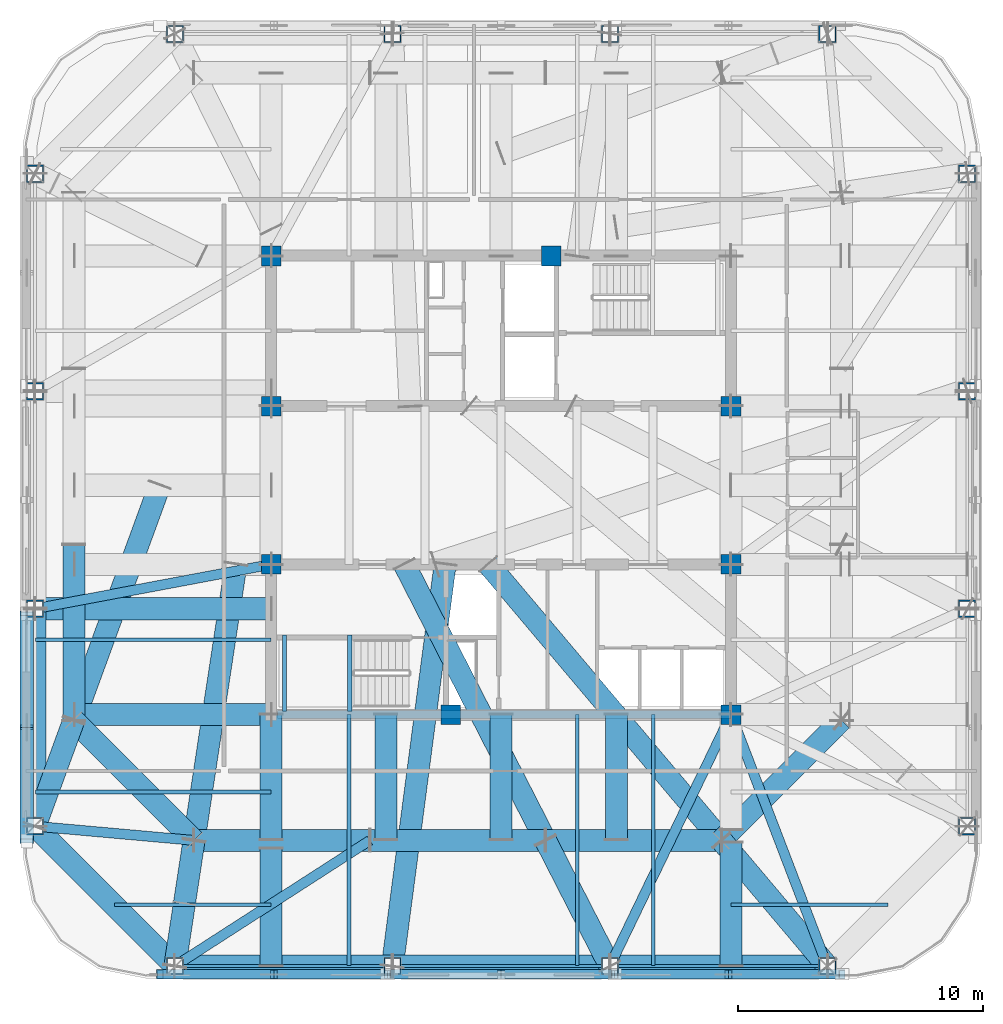
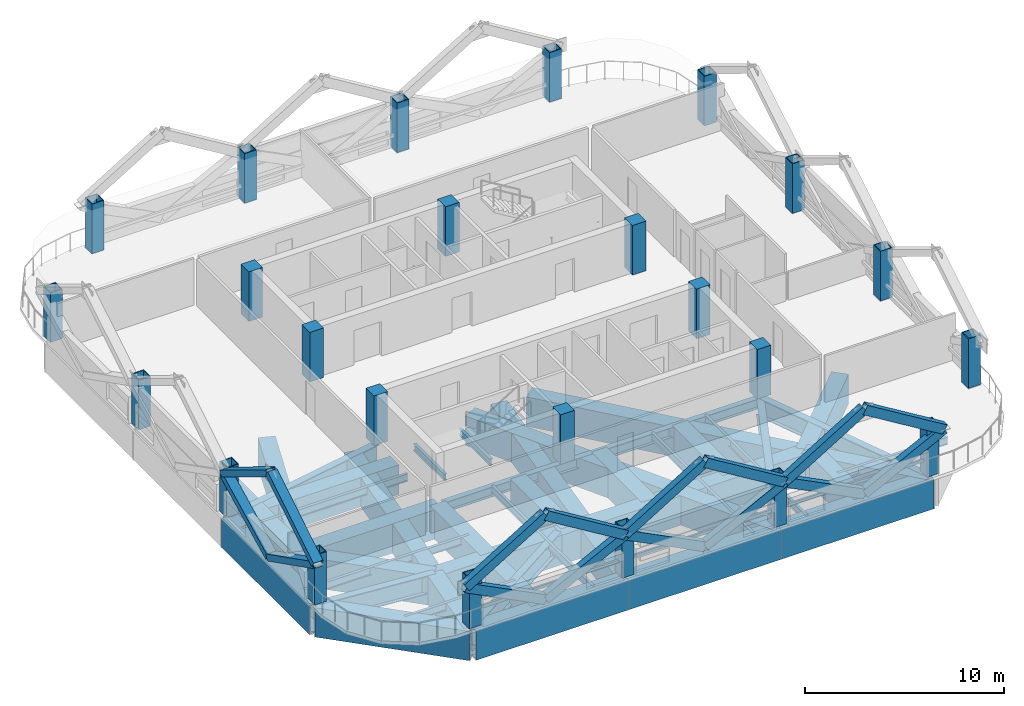
# One storey, part 1 of 11: 43 beams, 24 columns, 17 members.
"""IFC4 building model written with IfcOpenShell, lengths in metres."""

from ifc_helpers import new_model, si_unit, direction, frame, origin, origin_2d, place, context, subcontext, project, spatial, rectangle, hollow_rectangle, i_section, extrude, material, material_profile, profile_set, type_object, element, save


model = new_model("IFC4")

# Units and contexts
model_context = context("Model", 3, precision=1e-05, world=origin(), true_north=direction((0.0, 1.0)))
body_context = subcontext(model_context, "Body", "Model", "MODEL_VIEW")
ifc_project = project(units=[si_unit("LENGTHUNIT", "METRE"), si_unit("AREAUNIT", "SQUARE_METRE"), si_unit("VOLUMEUNIT", "CUBIC_METRE"), si_unit("PLANEANGLEUNIT", "RADIAN"), si_unit("MASSUNIT", "GRAM", prefix="KILO")], contexts=[model_context])

# Site, building, storey
site_placement = place(None, origin())
site = spatial("IfcSite", under=ifc_project, at=site_placement, CompositionType="ELEMENT")
building_placement = place(site_placement, origin())
building = spatial("IfcBuilding", under=site, at=building_placement, Name="Qhalaya Broadcast Tower", CompositionType="ELEMENT")
storey_placement = place(building_placement, frame((0.0, 0.0, 199.5)))
storey = spatial("IfcBuildingStorey", under=building, at=storey_placement, Name="L58", CompositionType="ELEMENT", Elevation=199.5)

# Columns
ifc_material_1 = material(Name="Concrete C50/60", Category="concrete")
ifc_material_profile_1 = material_profile(ifc_material_1, rectangle(XDim=0.800048828125, YDim=0.800048828125, at=origin_2d()), Name="RC-COL 800x800")
ifc_profile_set_1 = profile_set([ifc_material_profile_1], Name="Concrete C50/60")
column_type_1 = type_object("IfcColumnType", Name="RC Upper Column C10", PredefinedType="COLUMN", material=ifc_profile_set_1)
for number, where, z_axis, x_axis, name in (
    (1, (-9.375, 9.949951171875, 0.0), (0.0, 0.0, 1.0), (1.0, 0.0, 0.0), "L58 Column COL-CC1"),
    (2, (2.050048828125, 9.949951171875, 0.0), (0.0, 0.0, 1.0), (1.0, 0.0, 0.0), "L58 Column COL-CC2"),
    (3, (-9.375, 3.824951171875, 0.0), (0.0, 0.0, 1.0), (1.0, 0.0, 0.0), "L58 Column COL-CC3"),
    (4, (9.375, 3.824951171875, 0.0), (0.0, 0.0, 1.0), (1.0, 0.0, 0.0), "L58 Column COL-CC4"),
    (5, (-9.375, -2.625, 0.0), (0.0, 0.0, 1.0), (1.0, 0.0, 0.0), "L58 Column COL-CC5"),
    (6, (9.375, -2.625, 0.0), (0.0, 0.0, 1.0), (1.0, 0.0, 0.0), "L58 Column COL-CC6"),
    (7, (-2.050048828125, -8.75, 0.0), (0.0, 0.0, 1.0), (1.0, 0.0, 0.0), "L58 Column COL-CC7"),
    (8, (9.375, -8.75, 0.0), (0.0, 0.0, 1.0), (1.0, 0.0, 0.0), "L58 Column COL-CC8"),
):
    element("IfcColumn", number, at=place(storey_placement, frame(where, z_axis=z_axis, x_axis=x_axis)), inside=storey, type_object=column_type_1, Name=name, PredefinedType="COLUMN", context=body_context, shape_type="SweptSolid", body=[
        extrude(rectangle(XDim=0.800048828125, YDim=0.800048828125, at=origin_2d()), origin(), (0.0, 0.0, 1.0), 3.050048828125),
    ])
ifc_material_2 = material(Name="Structural Steel ASTM A572 Grade 50", Category="steel")
ifc_material_profile_2 = material_profile(ifc_material_2, hollow_rectangle(XDim=0.699951171875, YDim=0.699951171875, WallThickness=0.044921875, at=origin_2d()), Name="BOX 700x700x45")
ifc_profile_set_2 = profile_set([ifc_material_profile_2], Name="Structural Steel ASTM A572 Grade 50")
column_type_2 = type_object("IfcColumnType", Name="Steel Box Column C04", PredefinedType="COLUMN", material=ifc_profile_set_2)
for number, where, z_axis, x_axis, name in (
    (9, (-13.300048828125, -19.0, 0.0), (0.0, 0.0, 1.0), (1.0, 0.0, 0.0), "L58 Column COL-EX01"),
    (10, (-4.433349609375, -19.0, 0.0), (0.0, 0.0, 1.0), (1.0, 0.0, 0.0), "L58 Column COL-EX02"),
    (11, (4.433349609375, -19.0, 0.0), (0.0, 0.0, 1.0), (1.0, 0.0, 0.0), "L58 Column COL-EX03"),
    (12, (13.300048828125, -19.0, 0.0), (0.0, 0.0, 1.0), (1.0, 0.0, 0.0), "L58 Column COL-EX04"),
    (13, (19.0, -13.300048828125, 0.0), (0.0, 0.0, 1.0), (0.0, 1.0, 0.0), "L58 Column COL-EX05"),
    (14, (19.0, -4.433349609375, 0.0), (0.0, 0.0, 1.0), (0.0, 1.0, 0.0), "L58 Column COL-EX06"),
    (15, (19.0, 4.433349609375, 0.0), (0.0, 0.0, 1.0), (0.0, 1.0, 0.0), "L58 Column COL-EX07"),
    (16, (19.0, 13.300048828125, 0.0), (0.0, 0.0, 1.0), (0.0, 1.0, 0.0), "L58 Column COL-EX08"),
    (17, (13.300048828125, 19.0, 0.0), (0.0, 0.0, 1.0), (1.0, 0.0, 0.0), "L58 Column COL-EX09"),
    (18, (4.433349609375, 19.0, 0.0), (0.0, 0.0, 1.0), (1.0, 0.0, 0.0), "L58 Column COL-EX10"),
    (19, (-4.433349609375, 19.0, 0.0), (0.0, 0.0, 1.0), (1.0, 0.0, 0.0), "L58 Column COL-EX11"),
    (20, (-13.300048828125, 19.0, 0.0), (0.0, 0.0, 1.0), (1.0, 0.0, 0.0), "L58 Column COL-EX12"),
    (21, (-19.0, 13.300048828125, 0.0), (0.0, 0.0, 1.0), (0.0, 1.0, 0.0), "L58 Column COL-EX13"),
    (22, (-19.0, 4.433349609375, 0.0), (0.0, 0.0, 1.0), (0.0, 1.0, 0.0), "L58 Column COL-EX14"),
    (23, (-19.0, -4.433349609375, 0.0), (0.0, 0.0, 1.0), (0.0, 1.0, 0.0), "L58 Column COL-EX15"),
    (24, (-19.0, -13.300048828125, 0.0), (0.0, 0.0, 1.0), (0.0, 1.0, 0.0), "L58 Column COL-EX16"),
):
    element("IfcColumn", number, at=place(storey_placement, frame(where, z_axis=z_axis, x_axis=x_axis)), inside=storey, type_object=column_type_2, Name=name, PredefinedType="COLUMN", context=body_context, shape_type="SweptSolid", body=[
        extrude(hollow_rectangle(XDim=0.699951171875, YDim=0.699951171875, WallThickness=0.044921875, at=origin_2d()), origin(), (0.0, 0.0, 1.0), 3.050048828125),
    ])

# Beams
ifc_material_profile_3 = material_profile(ifc_material_2, hollow_rectangle(XDim=0.89990234375, YDim=1.800048828125, WallThickness=0.06005859375, at=origin_2d()), Name="BOX 900x1800x60")
ifc_profile_set_3 = profile_set([ifc_material_profile_3], Name="Structural Steel ASTM A572 Grade 50")
beam_type_1 = type_object("IfcBeamType", Name="Block Cantilever Transfer Box Girder TG1", PredefinedType="USERDEFINED", material=ifc_profile_set_3)
for number, where, z_axis, x_axis, name in (
    (25, (-13.300048828125, -19.0, -1.090087890625), (1.0, 0.0, 0.0), (0.0, 1.0, 0.0), "L58 TG1 L58-SPR-01"),
    (26, (-4.433349609375, -19.0, -1.090087890625), (1.0, 0.0, 0.0), (0.0, 1.0, 0.0), "L58 TG1 L58-SPR-02"),
    (27, (4.433349609375, -19.0, -1.090087890625), (1.0, 0.0, 0.0), (0.0, 1.0, 0.0), "L58 TG1 L58-SPR-03"),
    (28, (-19.0, -4.433349609375, -1.090087890625), (0.0, -1.0, 0.0), (1.0, 0.0, 0.0), "L58 TG1 L58-SPR-15"),
):
    element("IfcBeam", number, at=place(storey_placement, frame(where, z_axis=z_axis, x_axis=x_axis)), inside=storey, type_object=beam_type_1, Name=name, ObjectType="GIRDER", PredefinedType="USERDEFINED", context=body_context, shape_type="SweptSolid", body=[
        extrude(hollow_rectangle(XDim=0.89990234375, YDim=1.800048828125, WallThickness=0.06005859375, at=origin_2d()), origin(), (0.0, 0.0, 1.0), 8.86669921875),
    ])
beam_1_placement = place(storey_placement, frame((-19.0, -13.300048828125, -1.090087890625), z_axis=(0.707106781187, -0.707106781187, 0.0), x_axis=(0.707106781187, 0.707106781187, 0.0)))
element("IfcBeam", 29, at=beam_1_placement, inside=storey, type_object=beam_type_1, Name="L58 TG1 L58-SPR-16", ObjectType="GIRDER", PredefinedType="USERDEFINED", context=body_context, shape_type="SweptSolid", body=[
    extrude(hollow_rectangle(XDim=0.89990234375, YDim=1.800048828125, WallThickness=0.06005859375, at=origin_2d()), origin(), (0.0, 0.0, 1.0), 8.06103515625),
])
beam_2_placement = place(storey_placement, frame((-12.52001953125, -13.8798828125, -1.090087890625), z_axis=(1.0, 0.0, 0.0), x_axis=(0.0, 1.0, 0.0)))
element("IfcBeam", 30, at=beam_2_placement, inside=storey, type_object=beam_type_1, Name="L58 TG1 L58-TGL-01", ObjectType="GIRDER", PredefinedType="USERDEFINED", context=body_context, shape_type="SweptSolid", body=[
    extrude(hollow_rectangle(XDim=0.89990234375, YDim=1.800048828125, WallThickness=0.06005859375, at=origin_2d()), origin(), (0.0, 0.0, 1.0), 7.166748046875),
])
beam_3_placement = place(storey_placement, frame((-5.353271484375, -13.8798828125, -1.090087890625), z_axis=(1.0, 0.0, 0.0), x_axis=(0.0, 1.0, 0.0)))
element("IfcBeam", 31, at=beam_3_placement, inside=storey, type_object=beam_type_1, Name="L58 TG1 L58-TGL-02", ObjectType="GIRDER", PredefinedType="USERDEFINED", context=body_context, shape_type="SweptSolid", body=[
    extrude(hollow_rectangle(XDim=0.89990234375, YDim=1.800048828125, WallThickness=0.06005859375, at=origin_2d()), origin(), (0.0, 0.0, 1.0), 7.16650390625),
])
beam_4_placement = place(storey_placement, frame((1.813232421875, -13.8798828125, -1.090087890625), z_axis=(1.0, 0.0, 0.0), x_axis=(0.0, 1.0, 0.0)))
element("IfcBeam", 32, at=beam_4_placement, inside=storey, type_object=beam_type_1, Name="L58 TG1 L58-TGL-03", ObjectType="GIRDER", PredefinedType="USERDEFINED", context=body_context, shape_type="SweptSolid", body=[
    extrude(hollow_rectangle(XDim=0.89990234375, YDim=1.800048828125, WallThickness=0.06005859375, at=origin_2d()), origin(), (0.0, 0.0, 1.0), 7.166748046875),
])
beam_5_placement = place(storey_placement, frame((8.97998046875, -13.8798828125, -1.090087890625), z_axis=(0.707106781187, 0.707106781187, 0.0), x_axis=(-0.707106781187, 0.707106781187, 0.0)))
element("IfcBeam", 33, at=beam_5_placement, inside=storey, type_object=beam_type_1, Name="L58 TG1 L58-TGL-04", ObjectType="GIRDER", PredefinedType="USERDEFINED", context=body_context, shape_type="SweptSolid", body=[
    extrude(hollow_rectangle(XDim=0.89990234375, YDim=1.800048828125, WallThickness=0.06005859375, at=origin_2d()), origin(), (0.0, 0.0, 1.0), 6.929443359375),
])
beam_6_placement = place(storey_placement, frame((-17.419921875, -1.813232421875, -1.090087890625), z_axis=(0.0, -1.0, 0.0), x_axis=(1.0, 0.0, 0.0)))
element("IfcBeam", 34, at=beam_6_placement, inside=storey, type_object=beam_type_1, Name="L58 TG1 L58-TGL-15", ObjectType="GIRDER", PredefinedType="USERDEFINED", context=body_context, shape_type="SweptSolid", body=[
    extrude(hollow_rectangle(XDim=0.89990234375, YDim=1.800048828125, WallThickness=0.06005859375, at=origin_2d()), origin(), (0.0, 0.0, 1.0), 7.166748046875),
])
beam_7_placement = place(storey_placement, frame((-17.419921875, -8.97998046875, -1.090087890625), z_axis=(0.707106781187, -0.707106781187, 0.0), x_axis=(0.707106781187, 0.707106781187, 0.0)))
element("IfcBeam", 35, at=beam_7_placement, inside=storey, type_object=beam_type_1, Name="L58 TG1 L58-TGL-16", ObjectType="GIRDER", PredefinedType="USERDEFINED", context=body_context, shape_type="SweptSolid", body=[
    extrude(hollow_rectangle(XDim=0.89990234375, YDim=1.800048828125, WallThickness=0.06005859375, at=origin_2d()), origin(), (0.0, 0.0, 1.0), 6.929443359375),
])
for number, where, z_axis, x_axis, name in (
    (36, (0.0, -13.840087890625, -1.090087890625), (0.0, 1.0, 0.0), (-1.0, 0.0, 0.0), "L58 TG1 L58-TGIMS-1"),
    (37, (-4.699951171875, -13.840087890625, -1.090087890625), (0.0, 1.0, 0.0), (-1.0, 0.0, 0.0), "L58 TG1 L58-TGIMSW-1"),
    (38, (4.699951171875, -13.840087890625, -1.090087890625), (0.0, 1.0, 0.0), (-1.0, 0.0, 0.0), "L58 TG1 L58-TGIMSE-1"),
    (39, (-9.375, -13.840087890625, -1.090087890625), (0.0, 1.0, 0.0), (-1.0, 0.0, 0.0), "L58 TG1 L58-TGISW-1"),
):
    element("IfcBeam", number, at=place(storey_placement, frame(where, z_axis=z_axis, x_axis=x_axis)), inside=storey, type_object=beam_type_1, Name=name, ObjectType="GIRDER", PredefinedType="USERDEFINED", context=body_context, shape_type="SweptSolid", body=[
        extrude(hollow_rectangle(XDim=0.89990234375, YDim=1.800048828125, WallThickness=0.06005859375, at=origin_2d()), origin(), (0.0, 0.0, 1.0), 5.090087890625),
    ])
beam_8_placement = place(storey_placement, frame((-17.3798828125, -8.75, -1.090087890625), z_axis=(1.0, 0.0, 0.0), x_axis=(0.0, 1.0, 0.0)))
element("IfcBeam", 40, at=beam_8_placement, inside=storey, type_object=beam_type_1, Name="L58 TG1 L58-TGIY1W-1", ObjectType="GIRDER", PredefinedType="USERDEFINED", context=body_context, shape_type="SweptSolid", body=[
    extrude(hollow_rectangle(XDim=0.89990234375, YDim=1.800048828125, WallThickness=0.06005859375, at=origin_2d()), origin(), (0.0, 0.0, 1.0), 8.0048828125),
])
beam_9_placement = place(storey_placement, frame((-10.805419921875, -2.625, -1.090087890625), z_axis=(-0.150605112231, -0.988594001686, 0.0), x_axis=(0.988594001686, -0.150605112231, 0.0)))
element("IfcBeam", 41, at=beam_9_placement, inside=storey, type_object=beam_type_1, Name="L58 Collinear Back-Span Transfer Box Girder 01", ObjectType="GIRDER", PredefinedType="USERDEFINED", context=body_context, shape_type="SweptSolid", body=[
    extrude(hollow_rectangle(XDim=0.89990234375, YDim=1.800048828125, WallThickness=0.06005859375, at=origin_2d()), origin(), (0.0, 0.0, 1.0), 11.384765625),
])
beam_10_placement = place(storey_placement, frame((-12.52001953125, -13.8798828125, -1.090087890625), z_axis=(-0.150608254153, -0.988593523032, 0.0), x_axis=(0.988593523032, -0.150608254153, 0.0)))
element("IfcBeam", 42, at=beam_10_placement, inside=storey, type_object=beam_type_1, Name="L58 Cantilever Transfer Box Girder 01", ObjectType="GIRDER", PredefinedType="USERDEFINED", context=body_context, shape_type="SweptSolid", body=[
    extrude(hollow_rectangle(XDim=0.89990234375, YDim=1.800048828125, WallThickness=0.06005859375, at=origin_2d()), origin(), (0.0, 0.0, 1.0), 5.17919921875),
])
beam_11_placement = place(storey_placement, frame((-2.2822265625, -2.625, -1.090087890625), z_axis=(-0.130247254984, -0.99148154424, 0.0), x_axis=(0.99148154424, -0.130247254984, 0.0)))
element("IfcBeam", 43, at=beam_11_placement, inside=storey, type_object=beam_type_1, Name="L58 Continuous Cantilever Transfer Box Girder 02", ObjectType="GIRDER", PredefinedType="USERDEFINED", context=body_context, shape_type="SweptSolid", body=[
    extrude(hollow_rectangle(XDim=0.89990234375, YDim=1.800048828125, WallThickness=0.06005859375, at=origin_2d()), origin(), (0.0, 0.0, 1.0), 16.515625),
])
beam_12_placement = place(storey_placement, frame((-3.946044921875, -2.625, -1.090087890625), z_axis=(0.455536309158, -0.890217204416, 0.0), x_axis=(0.890217204416, 0.455536309158, 0.0)))
element("IfcBeam", 44, at=beam_12_placement, inside=storey, type_object=beam_type_1, Name="L58 Collinear Back-Span Transfer Box Girder 03", ObjectType="GIRDER", PredefinedType="USERDEFINED", context=body_context, shape_type="SweptSolid", body=[
    extrude(hollow_rectangle(XDim=0.89990234375, YDim=1.800048828125, WallThickness=0.06005859375, at=origin_2d()), origin(), (0.0, 0.0, 1.0), 12.642822265625),
])
beam_13_placement = place(storey_placement, frame((1.813232421875, -13.8798828125, -1.090087890625), z_axis=(0.455547780003, -0.890211334535, 0.0), x_axis=(0.890211334535, 0.455547780003, 0.0)))
element("IfcBeam", 45, at=beam_13_placement, inside=storey, type_object=beam_type_1, Name="L58 Cantilever Transfer Box Girder 03", ObjectType="GIRDER", PredefinedType="USERDEFINED", context=body_context, shape_type="SweptSolid", body=[
    extrude(hollow_rectangle(XDim=0.89990234375, YDim=1.800048828125, WallThickness=0.06005859375, at=origin_2d()), origin(), (0.0, 0.0, 1.0), 5.75146484375),
])
beam_14_placement = place(storey_placement, frame((-0.516357421875, -2.625, -1.090087890625), z_axis=(0.644872149767, -0.764290462099, 0.0), x_axis=(0.764290462099, 0.644872149767, 0.0)))
element("IfcBeam", 46, at=beam_14_placement, inside=storey, type_object=beam_type_1, Name="L58 Collinear Back-Span Transfer Box Girder 04", ObjectType="GIRDER", PredefinedType="USERDEFINED", context=body_context, shape_type="SweptSolid", body=[
    extrude(hollow_rectangle(XDim=0.89990234375, YDim=1.800048828125, WallThickness=0.06005859375, at=origin_2d()), origin(), (0.0, 0.0, 1.0), 14.725830078125),
])
beam_15_placement = place(storey_placement, frame((8.97998046875, -13.8798828125, -1.090087890625), z_axis=(0.644868278184, -0.764293728741, 0.0), x_axis=(0.764293728741, 0.644868278184, 0.0)))
element("IfcBeam", 47, at=beam_15_placement, inside=storey, type_object=beam_type_1, Name="L58 Cantilever Transfer Box Girder 04", ObjectType="GIRDER", PredefinedType="USERDEFINED", context=body_context, shape_type="SweptSolid", body=[
    extrude(hollow_rectangle(XDim=0.89990234375, YDim=1.800048828125, WallThickness=0.06005859375, at=origin_2d()), origin(), (0.0, 0.0, 1.0), 6.69921875),
])
beam_16_placement = place(storey_placement, frame((-9.375, -4.433349609375, -1.090087890625), z_axis=(-1.0, 0.0, 0.0), x_axis=(0.0, -1.0, 0.0)))
element("IfcBeam", 48, at=beam_16_placement, inside=storey, type_object=beam_type_1, Name="L58 Continuous Cantilever Transfer Box Girder 15", ObjectType="GIRDER", PredefinedType="USERDEFINED", context=body_context, shape_type="SweptSolid", body=[
    extrude(hollow_rectangle(XDim=0.89990234375, YDim=1.800048828125, WallThickness=0.06005859375, at=origin_2d()), origin(), (0.0, 0.0, 1.0), 9.625),
])
beam_17_placement = place(storey_placement, frame((-13.916259765625, 0.60009765625, -1.090087890625), z_axis=(-0.343473927376, -0.939162212407, 0.0), x_axis=(0.939162212407, -0.343473927376, 0.0)))
element("IfcBeam", 49, at=beam_17_placement, inside=storey, type_object=beam_type_1, Name="L58 Collinear Back-Span Transfer Box Girder 16", ObjectType="GIRDER", PredefinedType="USERDEFINED", context=body_context, shape_type="SweptSolid", body=[
    extrude(hollow_rectangle(XDim=0.89990234375, YDim=1.800048828125, WallThickness=0.06005859375, at=origin_2d()), origin(), (0.0, 0.0, 1.0), 10.20068359375),
])
beam_18_placement = place(storey_placement, frame((-17.419921875, -8.97998046875, -1.090087890625), z_axis=(-0.343498186789, -0.939153339808, 0.0), x_axis=(0.939153339808, -0.343498186789, 0.0)))
element("IfcBeam", 50, at=beam_18_placement, inside=storey, type_object=beam_type_1, Name="L58 Cantilever Transfer Box Girder 16", ObjectType="GIRDER", PredefinedType="USERDEFINED", context=body_context, shape_type="SweptSolid", body=[
    extrude(hollow_rectangle(XDim=0.89990234375, YDim=1.800048828125, WallThickness=0.06005859375, at=origin_2d()), origin(), (0.0, 0.0, 1.0), 4.599853515625),
])
beam_19_placement = place(storey_placement, frame((-9.375, -18.97998046875, -1.090087890625), z_axis=(0.0, 1.0, 0.0), x_axis=(-1.0, 0.0, 0.0)))
element("IfcBeam", 51, at=beam_19_placement, inside=storey, type_object=beam_type_1, Name="L58 TG1 L58-PGXS1-OV1", ObjectType="GIRDER", PredefinedType="USERDEFINED", context=body_context, shape_type="SweptSolid", body=[
    extrude(hollow_rectangle(XDim=0.89990234375, YDim=1.800048828125, WallThickness=0.06005859375, at=origin_2d()), origin(), (0.0, 0.0, 1.0), 4.760009765625),
])
beam_20_placement = place(storey_placement, frame((9.375, -18.97998046875, -1.090087890625), z_axis=(0.0, 1.0, 0.0), x_axis=(-1.0, 0.0, 0.0)))
element("IfcBeam", 52, at=beam_20_placement, inside=storey, type_object=beam_type_1, Name="L58 TG1 L58-PGXS2-OV1", ObjectType="GIRDER", PredefinedType="USERDEFINED", context=body_context, shape_type="SweptSolid", body=[
    extrude(hollow_rectangle(XDim=0.89990234375, YDim=1.800048828125, WallThickness=0.06005859375, at=origin_2d()), origin(), (0.0, 0.0, 1.0), 5.01416015625),
])
ifc_material_3 = material(Name="Structural Steel ASTM A992 Grade 50", Category="steel")
ifc_material_profile_4 = material_profile(ifc_material_3, i_section(OverallWidth=0.154052734375, OverallDepth=0.458984375, WebThickness=0.009033203125, FlangeThickness=0.015380859375, at=origin_2d()), Name="W18X46")
ifc_profile_set_4 = profile_set([ifc_material_profile_4], Name="Structural Steel ASTM A992 Grade 50")
beam_type_2 = type_object("IfcBeamType", Name="Composite Floor Joist J04", PredefinedType="JOIST", material=ifc_profile_set_4)
for number, where, z_axis, x_axis, name in (
    (53, (-6.199951171875, -18.97998046875, -0.41943359375), (0.0, 1.0, 0.0), (-1.0, 0.0, 0.0), "L58 J04 L58-JNS1-1"),
    (54, (3.10009765625, -18.97998046875, -0.41943359375), (0.0, 1.0, 0.0), (-1.0, 0.0, 0.0), "L58 J04 L58-JNS4-1"),
    (55, (6.199951171875, -18.97998046875, -0.41943359375), (0.0, 1.0, 0.0), (-1.0, 0.0, 0.0), "L58 J04 L58-JNS5-1"),
):
    element("IfcBeam", number, at=place(storey_placement, frame(where, z_axis=z_axis, x_axis=x_axis)), inside=storey, type_object=beam_type_2, Name=name, PredefinedType="JOIST", context=body_context, shape_type="SweptSolid", body=[
        extrude(i_section(OverallWidth=0.154052734375, OverallDepth=0.458984375, WebThickness=0.009033203125, FlangeThickness=0.015380859375, at=origin_2d()), origin(), (0.0, 0.0, 1.0), 10.22998046875),
    ])
for number, where, z_axis, x_axis, name in (
    (56, (-15.771728515625, -16.5, -0.41943359375), (1.0, 0.0, 0.0), (0.0, 1.0, 0.0), "L58 J04 L58-JWE1W-1"),
    (57, (9.375, -16.5, -0.41943359375), (1.0, 0.0, 0.0), (0.0, 1.0, 0.0), "L58 J04 L58-JWE1E-1"),
):
    element("IfcBeam", number, at=place(storey_placement, frame(where, z_axis=z_axis, x_axis=x_axis)), inside=storey, type_object=beam_type_2, Name=name, PredefinedType="JOIST", context=body_context, shape_type="SweptSolid", body=[
        extrude(i_section(OverallWidth=0.154052734375, OverallDepth=0.458984375, WebThickness=0.009033203125, FlangeThickness=0.015380859375, at=origin_2d()), origin(), (0.0, 0.0, 1.0), 6.396728515625),
    ])
for number, where, z_axis, x_axis, name in (
    (58, (-18.97998046875, -11.89990234375, -0.41943359375), (1.0, 0.0, 0.0), (0.0, 1.0, 0.0), "L58 J04 L58-JWE2W-1"),
    (59, (-18.97998046875, -5.699951171875, -0.41943359375), (1.0, 0.0, 0.0), (0.0, 1.0, 0.0), "L58 J04 L58-JWE3W-1"),
):
    element("IfcBeam", number, at=place(storey_placement, frame(where, z_axis=z_axis, x_axis=x_axis)), inside=storey, type_object=beam_type_2, Name=name, PredefinedType="JOIST", context=body_context, shape_type="SweptSolid", body=[
        extrude(i_section(OverallWidth=0.154052734375, OverallDepth=0.458984375, WebThickness=0.009033203125, FlangeThickness=0.015380859375, at=origin_2d()), origin(), (0.0, 0.0, 1.0), 9.60498046875),
    ])
ifc_material_profile_5 = material_profile(ifc_material_3, i_section(OverallWidth=0.323974609375, OverallDepth=0.612060546875, WebThickness=0.0126953125, FlangeThickness=0.01904296875, at=origin_2d()), Name="W24X104")
ifc_profile_set_5 = profile_set([ifc_material_profile_5], Name="Structural Steel ASTM A992 Grade 50")
beam_type_3 = type_object("IfcBeamType", Name="Core Frame Tie Beam B04", PredefinedType="BEAM", material=ifc_profile_set_5)
beam_21_placement = place(storey_placement, frame((-9.1201171875, -8.75, -0.49609375), z_axis=(1.0, 0.0, 0.0), x_axis=(0.0, 1.0, 0.0)))
element("IfcBeam", 60, at=beam_21_placement, inside=storey, type_object=beam_type_3, Name="L58 B04 L58-CCS3", PredefinedType="BEAM", context=body_context, shape_type="SweptSolid", body=[
    extrude(i_section(OverallWidth=0.323974609375, OverallDepth=0.612060546875, WebThickness=0.0126953125, FlangeThickness=0.01904296875, at=origin_2d()), origin(), (0.0, 0.0, 1.0), 18.4951171875),
])

# Members
ifc_material_profile_6 = material_profile(ifc_material_2, hollow_rectangle(XDim=0.3798828125, YDim=0.550048828125, WallThickness=0.02490234375, at=origin_2d()), Name="BOX 380x550x25")
ifc_profile_set_6 = profile_set([ifc_material_profile_6], Name="Structural Steel ASTM A572 Grade 50")
member_type_1 = type_object("IfcMemberType", Name="Exoskeleton Diamond Diagonal Upper EX4", PredefinedType="BRACE", material=ifc_profile_set_6)
for number, where, z_axis, x_axis, name in (
    (61, (-9.2666015625, -19.340087890625, 0.360107421875), (-0.892235092116, 0.0, 0.451571190841), (0.0, -1.0, 0.0), "B5 Exoskeleton Diamond Brace S1-D1"),
    (62, (-9.2666015625, -19.340087890625, 0.360107421875), (0.892235092116, 0.0, 0.451571190841), (0.0, 1.0, 0.0), "B5 Exoskeleton Diamond Brace S1-D2"),
):
    element("IfcMember", number, at=place(storey_placement, frame(where, z_axis=z_axis, x_axis=x_axis)), inside=storey, type_object=member_type_1, Name=name, PredefinedType="BRACE", context=body_context, shape_type="SweptSolid", body=[
        extrude(hollow_rectangle(XDim=0.3798828125, YDim=0.550048828125, WallThickness=0.02490234375, at=origin_2d()), origin(), (0.0, 0.0, 1.0), 5.19287109375),
    ])
for number, where, z_axis, x_axis, name in (
    (63, (-13.89990234375, -19.340087890625, 2.705078125), (0.853815197337, 0.0, 0.520576227652), (0.0, 1.0, 0.0), "B5 Exoskeleton Diamond Brace S1-D3"),
    (64, (-4.63330078125, -19.340087890625, 2.705078125), (-0.853815197337, 0.0, 0.520576227652), (0.0, -1.0, 0.0), "B5 Exoskeleton Diamond Brace S1-D4"),
):
    element("IfcMember", number, at=place(storey_placement, frame(where, z_axis=z_axis, x_axis=x_axis)), inside=storey, type_object=member_type_1, Name=name, PredefinedType="BRACE", context=body_context, shape_type="SweptSolid", body=[
        extrude(hollow_rectangle(XDim=0.3798828125, YDim=0.550048828125, WallThickness=0.02490234375, at=origin_2d()), origin(), (0.0, 0.0, 1.0), 5.426513671875),
    ])
for number, where, z_axis, x_axis, name in (
    (65, (0.0, -19.340087890625, 0.360107421875), (-0.892235092116, 0.0, 0.451571190841), (0.0, -1.0, 0.0), "B5 Exoskeleton Diamond Brace S2-D1"),
    (66, (0.0, -19.340087890625, 0.360107421875), (0.892235092116, 0.0, 0.451571190841), (0.0, 1.0, 0.0), "B5 Exoskeleton Diamond Brace S2-D2"),
):
    element("IfcMember", number, at=place(storey_placement, frame(where, z_axis=z_axis, x_axis=x_axis)), inside=storey, type_object=member_type_1, Name=name, PredefinedType="BRACE", context=body_context, shape_type="SweptSolid", body=[
        extrude(hollow_rectangle(XDim=0.3798828125, YDim=0.550048828125, WallThickness=0.02490234375, at=origin_2d()), origin(), (0.0, 0.0, 1.0), 5.19287109375),
    ])
for number, where, z_axis, x_axis, name in (
    (67, (-4.63330078125, -19.340087890625, 2.705078125), (0.853815197337, 0.0, 0.520576227652), (0.0, 1.0, 0.0), "B5 Exoskeleton Diamond Brace S2-D3"),
    (68, (4.63330078125, -19.340087890625, 2.705078125), (-0.853815197337, 0.0, 0.520576227652), (0.0, -1.0, 0.0), "B5 Exoskeleton Diamond Brace S2-D4"),
):
    element("IfcMember", number, at=place(storey_placement, frame(where, z_axis=z_axis, x_axis=x_axis)), inside=storey, type_object=member_type_1, Name=name, PredefinedType="BRACE", context=body_context, shape_type="SweptSolid", body=[
        extrude(hollow_rectangle(XDim=0.3798828125, YDim=0.550048828125, WallThickness=0.02490234375, at=origin_2d()), origin(), (0.0, 0.0, 1.0), 5.426513671875),
    ])
for number, where, z_axis, x_axis, name in (
    (69, (9.2666015625, -19.340087890625, 0.360107421875), (-0.892235092116, 0.0, 0.451571190841), (0.0, -1.0, 0.0), "B5 Exoskeleton Diamond Brace S3-D1"),
    (70, (9.2666015625, -19.340087890625, 0.360107421875), (0.892235092116, 0.0, 0.451571190841), (0.0, 1.0, 0.0), "B5 Exoskeleton Diamond Brace S3-D2"),
):
    element("IfcMember", number, at=place(storey_placement, frame(where, z_axis=z_axis, x_axis=x_axis)), inside=storey, type_object=member_type_1, Name=name, PredefinedType="BRACE", context=body_context, shape_type="SweptSolid", body=[
        extrude(hollow_rectangle(XDim=0.3798828125, YDim=0.550048828125, WallThickness=0.02490234375, at=origin_2d()), origin(), (0.0, 0.0, 1.0), 5.19287109375),
    ])
for number, where, z_axis, x_axis, name in (
    (71, (4.63330078125, -19.340087890625, 2.705078125), (0.853815197337, 0.0, 0.520576227652), (0.0, 1.0, 0.0), "B5 Exoskeleton Diamond Brace S3-D3"),
    (72, (13.89990234375, -19.340087890625, 2.705078125), (-0.853815197337, 0.0, 0.520576227652), (0.0, -1.0, 0.0), "B5 Exoskeleton Diamond Brace S3-D4"),
):
    element("IfcMember", number, at=place(storey_placement, frame(where, z_axis=z_axis, x_axis=x_axis)), inside=storey, type_object=member_type_1, Name=name, PredefinedType="BRACE", context=body_context, shape_type="SweptSolid", body=[
        extrude(hollow_rectangle(XDim=0.3798828125, YDim=0.550048828125, WallThickness=0.02490234375, at=origin_2d()), origin(), (0.0, 0.0, 1.0), 5.426513671875),
    ])
for number, where, z_axis, x_axis, name in (
    (73, (-19.340087890625, -9.2666015625, 0.360107421875), (0.0, 0.892235092116, 0.451571190841), (0.0, -0.451571190841, 0.892235092116), "B5 Exoskeleton Diamond Brace W3-D1"),
    (74, (-19.340087890625, -9.2666015625, 0.360107421875), (0.0, -0.892235092116, 0.451571190841), (0.0, 0.451571190841, 0.892235092116), "B5 Exoskeleton Diamond Brace W3-D2"),
):
    element("IfcMember", number, at=place(storey_placement, frame(where, z_axis=z_axis, x_axis=x_axis)), inside=storey, type_object=member_type_1, Name=name, PredefinedType="BRACE", context=body_context, shape_type="SweptSolid", body=[
        extrude(hollow_rectangle(XDim=0.3798828125, YDim=0.550048828125, WallThickness=0.02490234375, at=origin_2d()), origin(), (0.0, 0.0, 1.0), 5.19287109375),
    ])
for number, where, z_axis, x_axis, name in (
    (75, (-19.340087890625, -4.63330078125, 2.705078125), (0.0, -0.853815197337, 0.520576227652), (0.0, 0.520576227652, 0.853815197337), "B5 Exoskeleton Diamond Brace W3-D3"),
    (76, (-19.340087890625, -13.89990234375, 2.705078125), (0.0, 0.853815197337, 0.520576227652), (0.0, -0.520576227652, 0.853815197337), "B5 Exoskeleton Diamond Brace W3-D4"),
):
    element("IfcMember", number, at=place(storey_placement, frame(where, z_axis=z_axis, x_axis=x_axis)), inside=storey, type_object=member_type_1, Name=name, PredefinedType="BRACE", context=body_context, shape_type="SweptSolid", body=[
        extrude(hollow_rectangle(XDim=0.3798828125, YDim=0.550048828125, WallThickness=0.02490234375, at=origin_2d()), origin(), (0.0, 0.0, 1.0), 5.426513671875),
    ])
ifc_material_4 = material(Name="Fired Architectural Terracotta", Category="masonry")
ifc_material_profile_7 = material_profile(ifc_material_4, hollow_rectangle(XDim=0.110107421875, YDim=0.179931640625, WallThickness=0.01806640625, at=origin_2d()), Name="TB-BAG 110x180x18")
ifc_profile_set_7 = profile_set([ifc_material_profile_7], Name="Fired Architectural Terracotta")
member_type_2 = type_object("IfcMemberType", Name="Fired Terracotta Facade Baguette Member TB1", PredefinedType="USERDEFINED", material=ifc_profile_set_7)
member_placement = place(storey_placement, frame((-13.300048828125, -19.0, 0.85791015625), z_axis=(1.0, 0.0, 0.0), x_axis=(0.0, 1.0, 0.0)))
element("IfcMember", 77, at=member_placement, inside=storey, type_object=member_type_2, Name="L58 Terracotta Baguette Feature Rail S", ObjectType="BAGUETTE", PredefinedType="USERDEFINED", context=body_context, shape_type="SweptSolid", body=[
    extrude(hollow_rectangle(XDim=0.110107421875, YDim=0.179931640625, WallThickness=0.01806640625, at=origin_2d()), origin(), (0.0, 0.0, 1.0), 26.60009765625),
])

# Beams
ifc_material_profile_8 = material_profile(ifc_material_3, i_section(OverallWidth=0.404052734375, OverallDepth=1.117919921875, WebThickness=0.026123046875, FlangeThickness=0.044921875, at=origin_2d()), Name="W44X335")
ifc_profile_set_8 = profile_set([ifc_material_profile_8], Name="Structural Steel ASTM A992 Grade 50")
beam_type_4 = type_object("IfcBeamType", Name="Podium Long-Span Primary Girder PG1", PredefinedType="USERDEFINED", material=ifc_profile_set_8)
beam_22_placement = place(storey_placement, frame((-5.353271484375, -13.8798828125, -0.7490234375), z_axis=(-0.840625908099, -0.541616176487, 0.0), x_axis=(0.541616176487, -0.840625908099, 0.0)))
element("IfcBeam", 78, at=beam_22_placement, inside=storey, type_object=beam_type_4, Name="L58 Column-to-Column Moment Tie Girder 01-2", ObjectType="GIRDER", PredefinedType="USERDEFINED", context=body_context, shape_type="SweptSolid", body=[
    extrude(i_section(OverallWidth=0.404052734375, OverallDepth=1.117919921875, WebThickness=0.026123046875, FlangeThickness=0.044921875, at=origin_2d()), origin(), (0.0, 0.0, 1.0), 9.453369140625),
])
beam_23_placement = place(storey_placement, frame((9.375, -8.75, -0.7490234375), z_axis=(-0.434276803175, -0.900779472581, 0.0), x_axis=(0.900779472581, -0.434276803175, 0.0)))
element("IfcBeam", 79, at=beam_23_placement, inside=storey, type_object=beam_type_4, Name="L58 Column-to-Column Moment Tie Girder 03-1", ObjectType="GIRDER", PredefinedType="USERDEFINED", context=body_context, shape_type="SweptSolid", body=[
    extrude(i_section(OverallWidth=0.404052734375, OverallDepth=1.117919921875, WebThickness=0.026123046875, FlangeThickness=0.044921875, at=origin_2d()), origin(), (0.0, 0.0, 1.0), 11.379150390625),
])
beam_24_placement = place(storey_placement, frame((9.375, -8.75, -0.7490234375), z_axis=(0.357608882422, -0.933871451118, 0.0), x_axis=(0.933871451118, 0.357608882422, 0.0)))
element("IfcBeam", 80, at=beam_24_placement, inside=storey, type_object=beam_type_4, Name="L58 Column-to-Column Moment Tie Girder 04-1", ObjectType="GIRDER", PredefinedType="USERDEFINED", context=body_context, shape_type="SweptSolid", body=[
    extrude(i_section(OverallWidth=0.404052734375, OverallDepth=1.117919921875, WebThickness=0.026123046875, FlangeThickness=0.044921875, at=origin_2d()), origin(), (0.0, 0.0, 1.0), 10.975830078125),
])
beam_25_placement = place(storey_placement, frame((-9.375, -2.625, -0.7490234375), z_axis=(-0.982804388688, -0.184649759208, 0.0), x_axis=(0.184649759208, -0.982804388688, 0.0)))
element("IfcBeam", 81, at=beam_25_placement, inside=storey, type_object=beam_type_4, Name="L58 Column-to-Column Moment Tie Girder 15-1", ObjectType="GIRDER", PredefinedType="USERDEFINED", context=body_context, shape_type="SweptSolid", body=[
    extrude(i_section(OverallWidth=0.404052734375, OverallDepth=1.117919921875, WebThickness=0.026123046875, FlangeThickness=0.044921875, at=origin_2d()), origin(), (0.0, 0.0, 1.0), 9.79345703125),
])
beam_26_placement = place(storey_placement, frame((-12.52001953125, -13.8798828125, -0.7490234375), z_axis=(-0.996020472801, 0.089124731479, 0.0), x_axis=(-0.089124731479, -0.996020472801, 0.0)))
element("IfcBeam", 82, at=beam_26_placement, inside=storey, type_object=beam_type_4, Name="L58 Column-to-Column Moment Tie Girder 16-2", ObjectType="GIRDER", PredefinedType="USERDEFINED", context=body_context, shape_type="SweptSolid", body=[
    extrude(i_section(OverallWidth=0.404052734375, OverallDepth=1.117919921875, WebThickness=0.026123046875, FlangeThickness=0.044921875, at=origin_2d()), origin(), (0.0, 0.0, 1.0), 6.505859375),
])
ifc_material_profile_9 = material_profile(ifc_material_3, i_section(OverallWidth=0.177978515625, OverallDepth=0.406005859375, WebThickness=0.0078125, FlangeThickness=0.0126953125, at=origin_2d()), Name="W16X40")
ifc_profile_set_9 = profile_set([ifc_material_profile_9], Name="Structural Steel ASTM A992 Grade 50")
beam_type_5 = type_object("IfcBeamType", Name="Upper Perimeter Spandrel Beam SP2", PredefinedType="SPANDREL", material=ifc_profile_set_9)
for number, where, z_axis, x_axis, name in (
    (83, (-8.830078125, -8.6201171875, 1.1220703125), (0.0, 1.0, 0.0), (-1.0, 0.0, 0.0), "L58 ST-2 Half-Landing Bearer Beam 1"),
    (84, (-6.175048828125, -8.6201171875, 1.1220703125), (0.0, 1.0, 0.0), (-1.0, 0.0, 0.0), "L58 ST-2 Half-Landing Bearer Beam 2"),
):
    element("IfcBeam", number, at=place(storey_placement, frame(where, z_axis=z_axis, x_axis=x_axis)), inside=storey, type_object=beam_type_5, Name=name, PredefinedType="SPANDREL", context=body_context, shape_type="SweptSolid", body=[
        extrude(i_section(OverallWidth=0.177978515625, OverallDepth=0.406005859375, WebThickness=0.0078125, FlangeThickness=0.0126953125, at=origin_2d()), origin(), (0.0, 0.0, 1.0), 3.1201171875),
    ])

save(model, "model.ifc")
